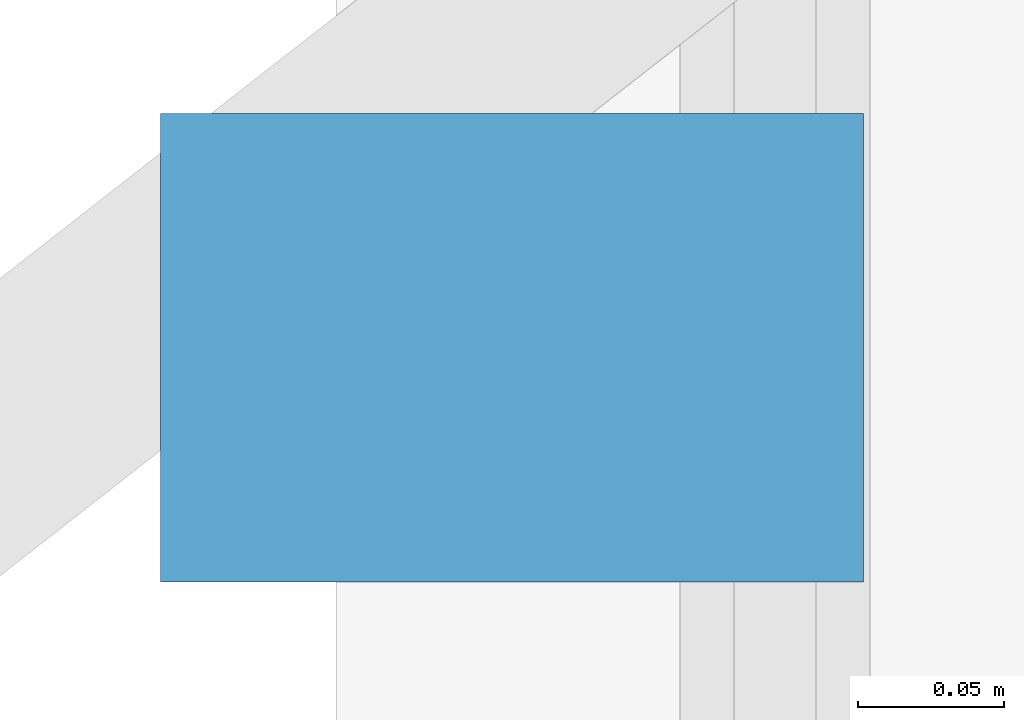
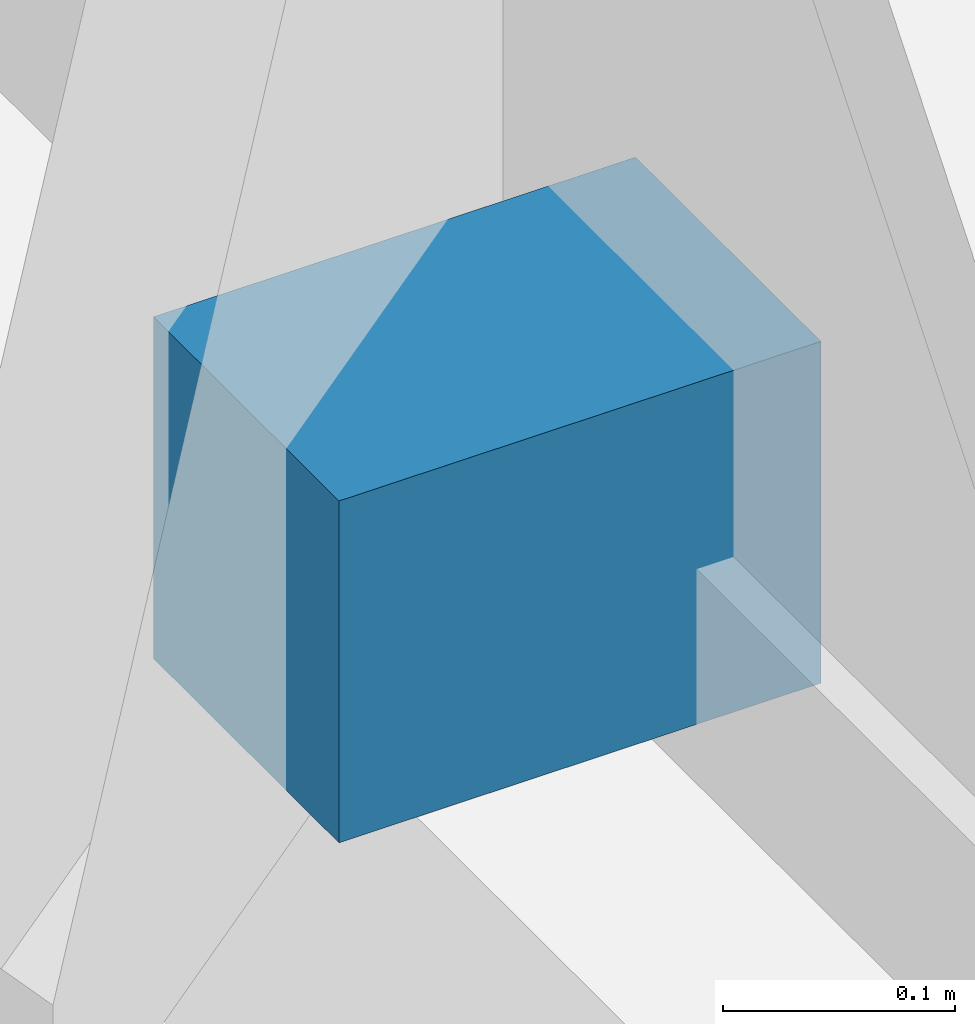
# One storey, part 26 of 28: 1 discrete accessory.
"""IFC4 building model written with IfcOpenShell, lengths in metres."""

from ifc_helpers import new_model, si_unit, direction, frame, origin, origin_2d, place, context, subcontext, project, spatial, rectangle, extrude, material, type_object, element, save


model = new_model("IFC4")

# Units and contexts
model_context = context("Model", 3, precision=1e-05, world=origin(), true_north=direction((0.0, 1.0)))
body_context = subcontext(model_context, "Body", "Model", "MODEL_VIEW")
ifc_project = project(units=[si_unit("LENGTHUNIT", "METRE"), si_unit("AREAUNIT", "SQUARE_METRE"), si_unit("VOLUMEUNIT", "CUBIC_METRE"), si_unit("PLANEANGLEUNIT", "RADIAN"), si_unit("MASSUNIT", "GRAM", prefix="KILO")], contexts=[model_context])

# Site, building, storey
site_placement = place(None, origin())
site = spatial("IfcSite", under=ifc_project, at=site_placement, CompositionType="ELEMENT")
building_placement = place(site_placement, origin())
building = spatial("IfcBuilding", under=site, at=building_placement, Name="Calvorn Quay Hotel", CompositionType="ELEMENT")
storey_placement = place(building_placement, frame((0.0, 0.0, 88.800048828125)))
storey = spatial("IfcBuildingStorey", under=building, at=storey_placement, Name="L21", CompositionType="ELEMENT", Elevation=88.800048828125)

# Discrete accessory
ifc_material = material(Name="Steel Q355B", Category="steel")
discrete_accessory_type = type_object("IfcDiscreteAccessoryType", Name="ACC-FIN-BRACKET", PredefinedType="BRACKET", material=ifc_material)
discrete_accessory_placement = place(storey_placement, frame((0.06005859375, 37.25, 0.02978515625), z_axis=(0.0, 0.0, 1.0), x_axis=(1.0, 0.0, 0.0)))
element("IfcDiscreteAccessory", 1, at=discrete_accessory_placement, inside=storey, type_object=discrete_accessory_type, Name="Fin Anchor Bracket L21-W03", PredefinedType="BRACKET", context=body_context, shape_type="SweptSolid", body=[
    extrude(rectangle(XDim=0.239990234375, YDim=0.159912109375, at=origin_2d()), origin(), (0.0, 0.0, 1.0), 0.179931640625),
])

save(model, "model.ifc")
